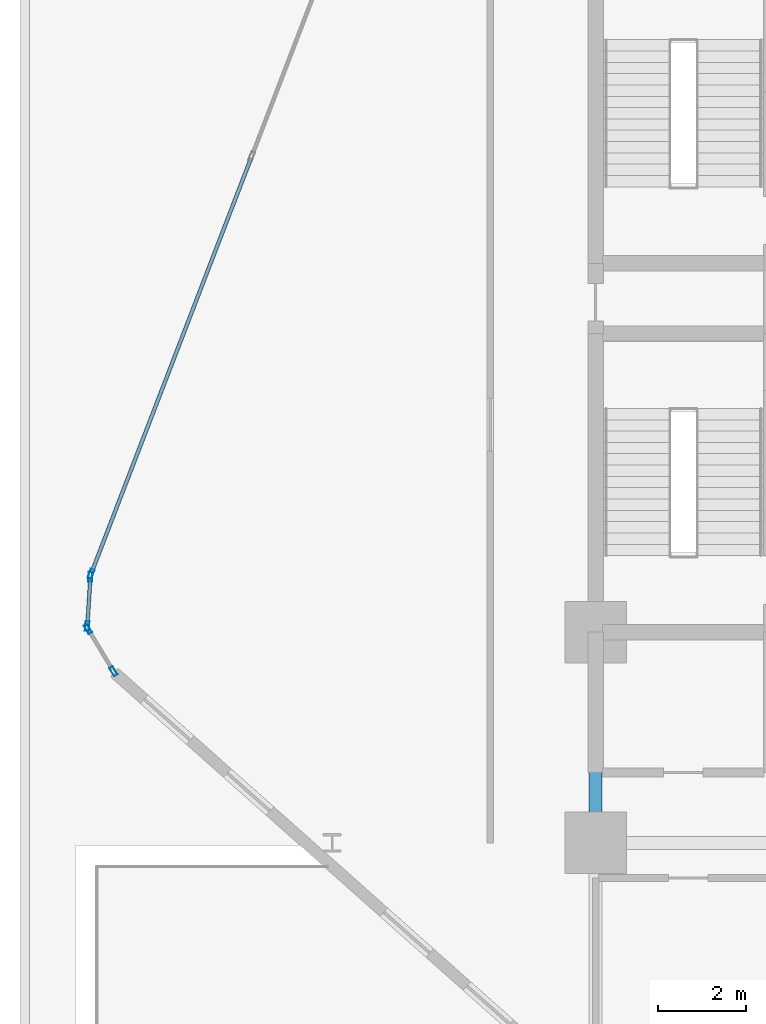
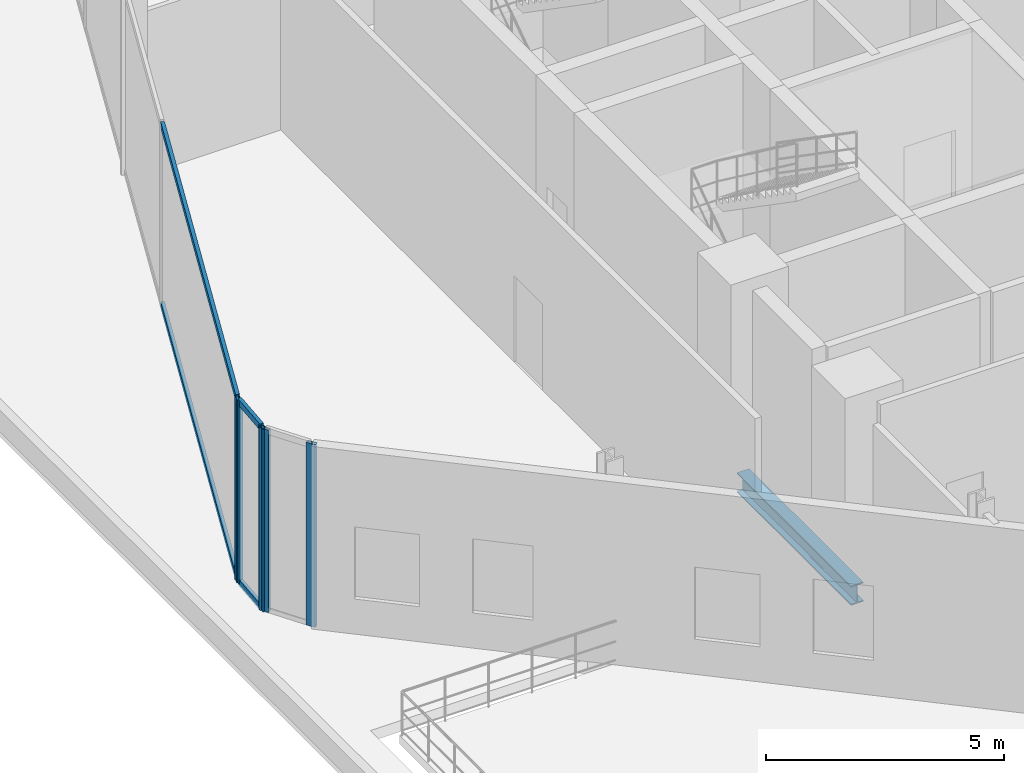
# One storey, part 4 of 29: 9 members, 1 beam, 3 elements without a shape of their own.
"""IFC4 building model written with IfcOpenShell, lengths in metres."""

from ifc_helpers import new_model, si_unit, direction, frame, origin, origin_2d, place, context, subcontext, project, spatial, hollow_rectangle, i_section, extrude, material, layer, layer_set, material_profile, profile_set, type_object, element, aggregate, save


model = new_model("IFC4")

# Units and contexts
model_context = context("Model", 3, precision=1e-05, world=origin(), true_north=direction((0.0, 1.0)))
body_context = subcontext(model_context, "Body", "Model", "MODEL_VIEW")
ifc_project = project(units=[si_unit("LENGTHUNIT", "METRE"), si_unit("AREAUNIT", "SQUARE_METRE"), si_unit("VOLUMEUNIT", "CUBIC_METRE"), si_unit("PLANEANGLEUNIT", "RADIAN"), si_unit("MASSUNIT", "GRAM", prefix="KILO")], contexts=[model_context])

# Site, building, storey
site_placement = place(None, origin())
site = spatial("IfcSite", under=ifc_project, at=site_placement, CompositionType="ELEMENT")
building_placement = place(site_placement, origin())
building = spatial("IfcBuilding", under=site, at=building_placement, Name="Keshet Zoharim Tower", CompositionType="ELEMENT")
storey_placement = place(building_placement, frame((0.0, 0.0, 19.0)))
storey = spatial("IfcBuildingStorey", under=building, at=storey_placement, Name="L03", CompositionType="ELEMENT", Elevation=19.0)

# Beam
ifc_material_1 = material(Name="Steel S355", Category="steel")
ifc_material_profile_1 = material_profile(ifc_material_1, i_section(OverallWidth=0.300048828125, OverallDepth=0.5, WebThickness=0.014404296875, FlangeThickness=0.028076171875, FilletRadius=0.027099609375, at=origin_2d()), Name="HEB500")
ifc_profile_set_1 = profile_set([ifc_material_profile_1], Name="Steel S355")
beam_type = type_object("IfcBeamType", Name="BM-WEB-HB500", PredefinedType="BEAM", material=ifc_profile_set_1)
beam_placement = place(storey_placement, frame((15.0, 17.89990234375, -0.669921875), z_axis=(0.0, 1.0, 0.0), x_axis=(-1.0, 0.0, 0.0)))
element("IfcBeam", 1, at=beam_placement, inside=storey, type_object=beam_type, Name="L03 Primary Girder Y-002", PredefinedType="BEAM", context=body_context, shape_type="SweptSolid", body=[
    extrude(i_section(OverallWidth=0.300048828125, OverallDepth=0.5, WebThickness=0.014404296875, FlangeThickness=0.028076171875, FilletRadius=0.027099609375, at=origin_2d()), origin(), (0.0, 0.0, 1.0), 4.800048828125),
])

# Curtain wall, members
ifc_material_2 = material(Name="Aluminium 6063-T6", Category="aluminium")
ifc_layer = layer(ifc_material_2, 0.179931640625)
ifc_layer_set = layer_set([ifc_layer], Name="Aluminium 6063-T6")
curtain_wall_type = type_object("IfcCurtainWallType", Name="CW-SYS-01", PredefinedType="NOTDEFINED", material=ifc_layer_set)
curtain_wall_1_placement = place(storey_placement, origin())
curtain_wall_1 = element("IfcCurtainWall", 2, at=curtain_wall_1_placement, inside=storey, type_object=curtain_wall_type, Name="L03 Unitised Curtain Wall 01", PredefinedType="NOTDEFINED")
ifc_material_profile_2 = material_profile(ifc_material_2, hollow_rectangle(XDim=0.090087890625, YDim=0.219970703125, WallThickness=0.0048828125, at=origin_2d()), Name="MUL-90x220")
ifc_profile_set_2 = profile_set([ifc_material_profile_2], Name="Aluminium 6063-T6")
member_type_1 = type_object("IfcMemberType", Name="CWM-M22", PredefinedType="MULLION", material=ifc_profile_set_2)
member_1_placement = place(storey_placement, frame((4.016845703125, 21.81005859375, 0.0), z_axis=(0.0, 0.0, 1.0), x_axis=(-0.856826433805, -0.515604947933, 0.0)))
member_1 = element("IfcMember", 3, at=member_1_placement, type_object=member_type_1, Name="CW-01 mullion 1", PredefinedType="MULLION", context=body_context, shape_type="SweptSolid", body=[
    extrude(hollow_rectangle(XDim=0.090087890625, YDim=0.219970703125, WallThickness=0.0048828125, at=origin_2d()), origin(), (0.0, 0.0, 1.0), 4.68505859375),
])
member_2_placement = place(storey_placement, frame((3.43798828125, 22.77197265625, 0.0), z_axis=(0.0, 0.0, 1.0), x_axis=(-0.856826433805, -0.515604947933, 0.0)))
member_2 = element("IfcMember", 4, at=member_2_placement, type_object=member_type_1, Name="CW-01 mullion 2", PredefinedType="MULLION", context=body_context, shape_type="SweptSolid", body=[
    extrude(hollow_rectangle(XDim=0.090087890625, YDim=0.219970703125, WallThickness=0.0048828125, at=origin_2d()), origin(), (0.0, 0.0, 1.0), 4.68505859375),
])
aggregate(curtain_wall_1, [member_1, member_2])

curtain_wall_2_placement = place(storey_placement, origin())
curtain_wall_2 = element("IfcCurtainWall", 5, at=curtain_wall_2_placement, inside=storey, type_object=curtain_wall_type, Name="L03 Unitised Curtain Wall 02", PredefinedType="NOTDEFINED")
member_3_placement = place(storey_placement, frame((3.42236328125, 22.8369140625, 0.0), z_axis=(0.0, 0.0, 1.0), x_axis=(-0.997916617186, 0.064516859374, 0.0)))
member_3 = element("IfcMember", 6, at=member_3_placement, type_object=member_type_1, Name="CW-01 mullion 1", PredefinedType="MULLION", context=body_context, shape_type="SweptSolid", body=[
    extrude(hollow_rectangle(XDim=0.090087890625, YDim=0.219970703125, WallThickness=0.0048828125, at=origin_2d()), origin(), (0.0, 0.0, 1.0), 4.68505859375),
])
member_4_placement = place(storey_placement, frame((3.49462890625, 23.9580078125, 0.0), z_axis=(0.0, 0.0, 1.0), x_axis=(-0.997916617186, 0.064516859374, 0.0)))
member_4 = element("IfcMember", 7, at=member_4_placement, type_object=member_type_1, Name="CW-01 mullion 2", PredefinedType="MULLION", context=body_context, shape_type="SweptSolid", body=[
    extrude(hollow_rectangle(XDim=0.090087890625, YDim=0.219970703125, WallThickness=0.0048828125, at=origin_2d()), origin(), (0.0, 0.0, 1.0), 4.68505859375),
])

# Curtain wall, member
curtain_wall_3_placement = place(storey_placement, origin())
curtain_wall_3 = element("IfcCurtainWall", 8, at=curtain_wall_3_placement, inside=storey, type_object=curtain_wall_type, Name="L03 Unitised Curtain Wall 03", PredefinedType="NOTDEFINED")
member_5_placement = place(storey_placement, frame((3.509521484375, 24.025634765625, 0.0), z_axis=(0.0, 0.0, 1.0), x_axis=(-0.933341404361, 0.358990003907, 0.0)))
member_5 = element("IfcMember", 9, at=member_5_placement, type_object=member_type_1, Name="CW-01 mullion 1", PredefinedType="MULLION", context=body_context, shape_type="SweptSolid", body=[
    extrude(hollow_rectangle(XDim=0.090087890625, YDim=0.219970703125, WallThickness=0.0048828125, at=origin_2d()), origin(), (0.0, 0.0, 1.0), 4.68505859375),
])

# Member
ifc_material_profile_3 = material_profile(ifc_material_2, hollow_rectangle(XDim=0.0849609375, YDim=0.159912109375, WallThickness=0.00439453125, at=origin_2d()), Name="TRN-85x160")
ifc_profile_set_3 = profile_set([ifc_material_profile_3], Name="Aluminium 6063-T6")
member_type_2 = type_object("IfcMemberType", Name="CWT-T16", PredefinedType="USERDEFINED", material=ifc_profile_set_3)
member_6_placement = place(storey_placement, frame((3.424560546875, 22.871826171875, 0.034912109375), z_axis=(0.064426947155, 0.997922426083, 0.0), x_axis=(-0.997922426083, 0.064426947155, 0.0)))
member_6 = element("IfcMember", 10, at=member_6_placement, type_object=member_type_2, Name="CW-01 transom 1.1", ObjectType="TRANSOM", PredefinedType="USERDEFINED", context=body_context, shape_type="SweptSolid", body=[
    extrude(hollow_rectangle(XDim=0.0849609375, YDim=0.159912109375, WallThickness=0.00439453125, at=origin_2d()), origin(), (0.0, 0.0, 1.0), 1.053466796875),
])

member_7_placement = place(storey_placement, frame((3.424560546875, 22.871826171875, 4.64990234375), z_axis=(0.064426947155, 0.997922426083, 0.0), x_axis=(-0.997922426083, 0.064426947155, 0.0)))
member_7 = element("IfcMember", 11, at=member_7_placement, type_object=member_type_2, Name="CW-01 transom 1.2", ObjectType="TRANSOM", PredefinedType="USERDEFINED", context=body_context, shape_type="SweptSolid", body=[
    extrude(hollow_rectangle(XDim=0.0849609375, YDim=0.159912109375, WallThickness=0.00439453125, at=origin_2d()), origin(), (0.0, 0.0, 1.0), 1.053466796875),
])

aggregate(curtain_wall_2, [member_3, member_4, member_6, member_7])

member_8_placement = place(storey_placement, frame((3.522216796875, 24.058349609375, 0.034912109375), z_axis=(0.358993631387, 0.93334000912, 0.0), x_axis=(-0.93334000912, 0.358993631387, 0.0)))
member_8 = element("IfcMember", 12, at=member_8_placement, type_object=member_type_2, Name="CW-01 transom 1.1", ObjectType="TRANSOM", PredefinedType="USERDEFINED", context=body_context, shape_type="SweptSolid", body=[
    extrude(hollow_rectangle(XDim=0.0849609375, YDim=0.159912109375, WallThickness=0.00439453125, at=origin_2d()), origin(), (0.0, 0.0, 1.0), 10.1181640625),
])

member_9_placement = place(storey_placement, frame((3.522216796875, 24.058349609375, 4.64990234375), z_axis=(0.358993631387, 0.93334000912, 0.0), x_axis=(-0.93334000912, 0.358993631387, 0.0)))
member_9 = element("IfcMember", 13, at=member_9_placement, type_object=member_type_2, Name="CW-01 transom 1.2", ObjectType="TRANSOM", PredefinedType="USERDEFINED", context=body_context, shape_type="SweptSolid", body=[
    extrude(hollow_rectangle(XDim=0.0849609375, YDim=0.159912109375, WallThickness=0.00439453125, at=origin_2d()), origin(), (0.0, 0.0, 1.0), 10.1181640625),
])

aggregate(curtain_wall_3, [member_5, member_8, member_9])

save(model, "model.ifc")
